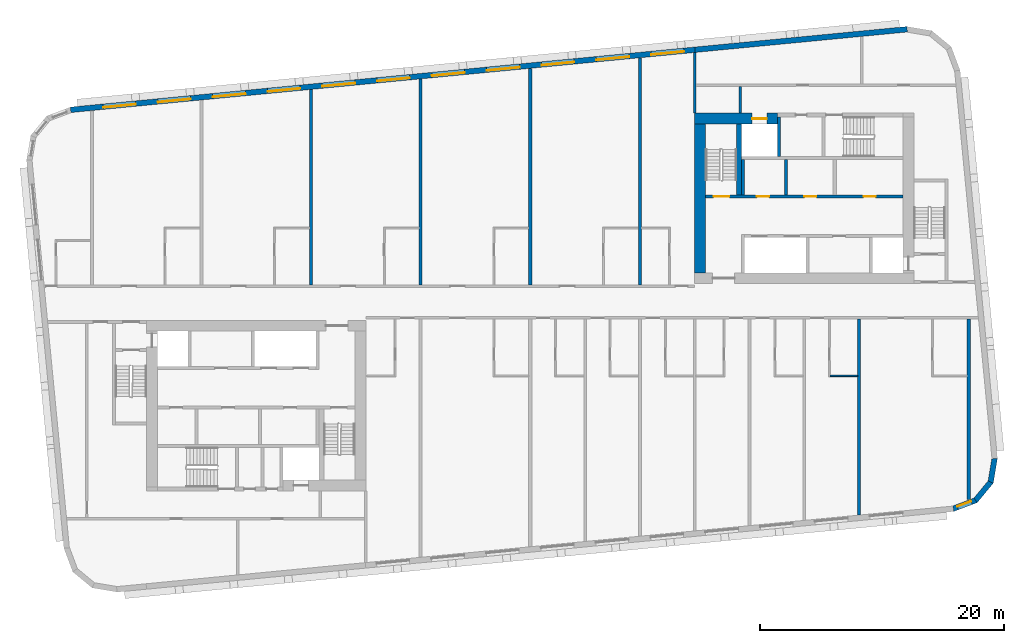
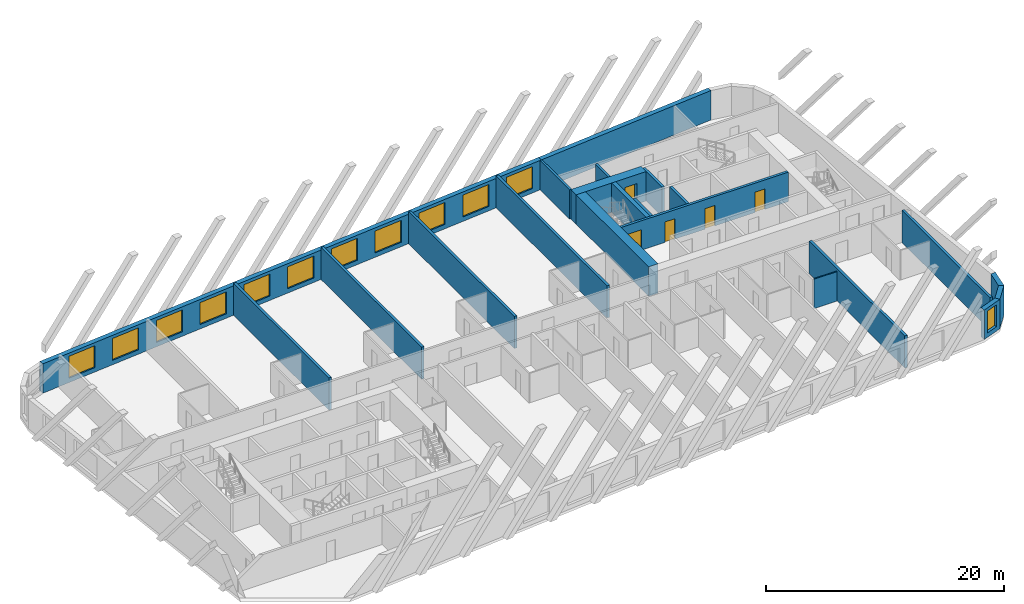
# One storey, part 6 of 12: 21 walls, 12 windows, 5 doors, 17 openings.
"""IFC4 building model written with IfcOpenShell, lengths in metres."""

from ifc_helpers import new_model, si_unit, direction, frame, frame_2d, origin, place, context, subcontext, project, spatial, polyline, rectangle, outline, extrude, material, layer, layer_set, type_object, element, fill, save


model = new_model("IFC4")

# Units and contexts
model_context = context("Model", 3, precision=1e-05, world=origin(), true_north=direction((0.0, 1.0)))
body_context = subcontext(model_context, "Body", "Model", "MODEL_VIEW")
ifc_project = project(units=[si_unit("LENGTHUNIT", "METRE"), si_unit("AREAUNIT", "SQUARE_METRE"), si_unit("VOLUMEUNIT", "CUBIC_METRE"), si_unit("PLANEANGLEUNIT", "RADIAN"), si_unit("MASSUNIT", "GRAM", prefix="KILO")], contexts=[model_context])

# Site, building, storey
site_placement = place(None, origin())
site = spatial("IfcSite", under=ifc_project, at=site_placement, CompositionType="ELEMENT")
building_placement = place(site_placement, origin())
building = spatial("IfcBuilding", under=site, at=building_placement, Name="Kajstack Hotel Tower", CompositionType="ELEMENT")
storey_placement = place(building_placement, frame((0.0, 0.0, 278.39990234375)))
storey = spatial("IfcBuildingStorey", under=building, at=storey_placement, Name="L69", CompositionType="ELEMENT", Elevation=278.39990234375)

# Wall, opening, door
ifc_material_1 = material(Name="Concrete C60/75", Category="concrete")
ifc_layer_1 = layer(ifc_material_1, 0.89990234375)
ifc_layer_set_1 = layer_set([ifc_layer_1], Name="Core wall 900")
wall_type_1 = type_object("IfcWallType", Name="Core wall 900", PredefinedType="SHEAR", material=ifc_layer_set_1)
wall_1_placement = place(storey_placement, frame((13.5, 15.050048828125, 0.0), z_axis=(0.0, 0.0, 1.0), x_axis=(1.0, 0.0, 0.0)))
wall_1 = element("IfcWall", 1, at=wall_1_placement, inside=storey, type_object=wall_type_1, Name="Core wall E RS", PredefinedType="SHEAR", context=body_context, shape_type="SweptSolid", body=[
    extrude(rectangle(XDim=6.800048828125, YDim=0.89990234375, at=frame_2d((3.39990234375, 0.0))), origin(), (0.0, 0.0, 1.0), 3.02001953125),
])
opening_1_placement = place(wall_1_placement, frame((4.72509765625, 0.0, 0.0)))
opening_1 = element("IfcOpeningElement", 2, at=opening_1_placement, cuts=wall_1, Name="Opening LD-SV2", PredefinedType="OPENING", context=body_context, shape_type="SweptSolid", body=[
    extrude(rectangle(XDim=1.199951171875, YDim=2.10009765625, at=frame_2d((0.60009765625, 1.050048828125))), frame((0.0, 0.4599609375, 0.0), z_axis=(0.0, -1.0, 0.0), x_axis=(1.0, 0.0, 0.0)), (0.0, 0.0, 1.0), 0.919921875),
])
ifc_material_2 = material(Name="Stainless steel", Category="steel")
door_type_1 = type_object("IfcDoorType", Name="Lift landing door 1200", OperationType="SLIDING_TO_LEFT", PredefinedType="DOOR", material=ifc_material_2)
door_1_placement = place(opening_1_placement, origin())
door_1 = element("IfcDoor", 3, at=door_1_placement, inside=storey, type_object=door_type_1, Name="Landing door SV2", OperationType="SLIDING_TO_LEFT", OverallHeight=2.10009765625, OverallWidth=1.199951171875, PredefinedType="DOOR", context=body_context, shape_type="SweptSolid", body=[
    extrude(rectangle(XDim=1.199951171875, YDim=2.10009765625, at=frame_2d((0.60009765625, 1.050048828125))), frame((0.0, 0.02490234375, 0.0), z_axis=(0.0, -1.0, 0.0), x_axis=(1.0, 0.0, 0.0)), (0.0, 0.0, 1.0), 0.050048828125),
])
fill(opening_1, door_1)

# Walls
wall_2_placement = place(storey_placement, frame((13.949951171875, 2.39990234375, 0.0), z_axis=(0.0, 0.0, 1.0), x_axis=(0.0, 1.0, 0.0)))
element("IfcWall", 4, at=wall_2_placement, inside=storey, type_object=wall_type_1, Name="Core wall E RE", PredefinedType="SHEAR", context=body_context, shape_type="SweptSolid", body=[
    extrude(rectangle(XDim=12.2001953125, YDim=0.89990234375, at=frame_2d((6.10009765625, 0.0))), origin(), (0.0, 0.0, 1.0), 3.02001953125),
])
ifc_material_3 = material(Name="Twin-frame gypsum board on steel studs, mineral wool", Category="steel")
ifc_layer_2 = layer(ifc_material_3, 0.199951171875)
ifc_layer_set_2 = layer_set([ifc_layer_2], Name="Demising wall 200")
wall_type_2 = type_object("IfcWallType", Name="Demising wall 200", PredefinedType="PARTITIONING", material=ifc_layer_set_2)
wall_3_placement = place(storey_placement, frame((13.5, 15.5, 0.0), z_axis=(0.0, 0.0, 1.0), x_axis=(0.0, 1.0, 0.0)))
element("IfcWall", 5, at=wall_3_placement, inside=storey, type_object=wall_type_2, Name="G-wall-L69-001", PredefinedType="PARTITIONING", context=body_context, shape_type="SweptSolid", body=[
    extrude(rectangle(XDim=4.985107421875, YDim=0.199951171875, at=frame_2d((2.49267578125, 0.0))), origin(), (0.0, 0.0, 1.0), 3.02001953125),
])
ifc_material_4 = material(Name="Concrete C40/50", Category="concrete")
ifc_layer_3 = layer(ifc_material_4, 0.449951171875)
ifc_layer_set_3 = layer_set([ifc_layer_3], Name="EW-CORE")
wall_type_3 = type_object("IfcWallType", Name="EW-CORE", PredefinedType="SOLIDWALL", material=ifc_layer_set_3)
wall_4_placement = place(storey_placement, frame((30.94580078125, 22.390625, 0.0), z_axis=(0.0, 0.0, 1.0), x_axis=(-0.995396397117, -0.095843688398, 0.0)))
element("IfcWall", 6, at=wall_4_placement, inside=storey, type_object=wall_type_3, Name="E-wall-L69-12-00", PredefinedType="SOLIDWALL", context=body_context, shape_type="SweptSolid", body=[
    extrude(rectangle(XDim=17.5048828125, YDim=0.449951171875, at=frame_2d((8.75244140625, 0.0))), origin(), (0.0, 0.0, 1.0), 3.02001953125),
])

# Wall, opening, window
ifc_material_5 = material(Name="Terracotta-faced brick masonry", Category="masonry")
ifc_layer_4 = layer(ifc_material_5, 0.449951171875)
ifc_layer_set_4 = layer_set([ifc_layer_4], Name="EW-TERRA")
wall_type_4 = type_object("IfcWallType", Name="EW-TERRA", PredefinedType="SOLIDWALL", material=ifc_layer_set_4)
wall_5_placement = place(storey_placement, frame((34.67919921875, -16.990478515625, 0.0), z_axis=(0.0, 0.0, 1.0), x_axis=(0.936677599948, 0.350192909346, 0.0)))
wall_5 = element("IfcWall", 7, at=wall_5_placement, inside=storey, type_object=wall_type_4, Name="E-wall-L69-05-00", PredefinedType="SOLIDWALL", context=body_context, shape_type="SweptSolid", body=[
    extrude(outline(polyline([(0.0, -0.22509765625), (2.070556640625, -0.22509765625), (1.949951171875, 0.22509765625), (0.12060546875, 0.22509765625), (0.0, -0.22509765625)])), origin(), (0.0, 0.0, 1.0), 3.02001953125),
])
opening_2_placement = place(wall_5_placement, frame((0.435302734375, 0.0, 0.449951171875)))
opening_2 = element("IfcOpeningElement", 8, at=opening_2_placement, cuts=wall_5, Name="Opening W3", PredefinedType="OPENING", context=body_context, shape_type="SweptSolid", body=[
    extrude(rectangle(XDim=1.199951171875, YDim=2.25, at=frame_2d((0.60009765625, 1.125))), frame((0.0, 0.23486328125, 0.0), z_axis=(0.0, -1.0, 0.0), x_axis=(1.0, 0.0, 0.0)), (0.0, 0.0, 1.0), 0.469970703125),
])
ifc_material_6 = material(Name="Timber-aluminium window, triple glazed", Category="wood")
window_type_1 = type_object("IfcWindowType", Name="WG3", PartitioningType="SINGLE_PANEL", PredefinedType="WINDOW", material=ifc_material_6)
window_1_placement = place(opening_2_placement, origin())
window_1 = element("IfcWindow", 9, at=window_1_placement, inside=storey, type_object=window_type_1, Name="Window W3 L69-05", OverallHeight=2.25, OverallWidth=1.199951171875, PartitioningType="SINGLE_PANEL", PredefinedType="WINDOW", context=body_context, shape_type="SweptSolid", body=[
    extrude(rectangle(XDim=1.199951171875, YDim=2.25, at=frame_2d((0.60009765625, 1.125))), frame((0.0, 0.090087890625, 0.0), z_axis=(0.0, -1.0, 0.0), x_axis=(1.0, 0.0, 0.0)), (0.0, 0.0, 1.0), 0.06005859375),
])
fill(opening_2, window_1)

# Walls
wall_6_placement = place(storey_placement, frame((36.52392578125, -16.3330078125, 0.0), z_axis=(0.0, 0.0, 1.0), x_axis=(0.636046112757, 0.771651049663, 0.0)))
element("IfcWall", 10, at=wall_6_placement, inside=storey, type_object=wall_type_4, Name="E-wall-L69-06-00", PredefinedType="SOLIDWALL", context=body_context, shape_type="SweptSolid", body=[
    extrude(outline(polyline([(0.0, -0.224853515625), (2.070556640625, -0.22509765625), (1.949951171875, 0.22509765625), (0.12060546875, 0.22509765625), (0.0, -0.224853515625)])), origin(), (0.0, 0.0, 1.0), 3.02001953125),
])
wall_7_placement = place(storey_placement, frame((37.79248046875, -14.84130859375, 0.0), z_axis=(0.0, 0.0, 1.0), x_axis=(0.165068144653, 0.986282164302, 0.0)))
element("IfcWall", 11, at=wall_7_placement, inside=storey, type_object=wall_type_4, Name="E-wall-L69-07-00", PredefinedType="SOLIDWALL", context=body_context, shape_type="SweptSolid", body=[
    extrude(outline(polyline([(0.0, -0.22509765625), (2.070556640625, -0.22509765625), (1.949951171875, 0.224853515625), (0.12060546875, 0.224853515625), (0.0, -0.22509765625)])), origin(), (0.0, 0.0, 1.0), 3.02001953125),
])

# Wall, openings, windows
wall_8_placement = place(storey_placement, frame((13.521484375, 20.712890625, 0.0), z_axis=(0.0, 0.0, 1.0), x_axis=(-0.995396277313, -0.095844932638, 0.0)))
wall_8 = element("IfcWall", 12, at=wall_8_placement, inside=storey, type_object=wall_type_4, Name="E-wall-L69-12-01", PredefinedType="SOLIDWALL", context=body_context, shape_type="SweptSolid", body=[
    extrude(rectangle(XDim=51.4951171875, YDim=0.449951171875, at=frame_2d((25.74755859375, 0.0))), origin(), (0.0, 0.0, 1.0), 3.02001953125),
])
opening_3_placement = place(wall_8_placement, frame((0.910400390625, 0.0, 0.449951171875)))
opening_3 = element("IfcOpeningElement", 13, at=opening_3_placement, cuts=wall_8, Name="Opening W1", PredefinedType="OPENING", context=body_context, shape_type="SweptSolid", body=[
    extrude(rectangle(XDim=2.699951171875, YDim=2.25, at=frame_2d((1.35009765625, 1.125))), frame((0.0, 0.23486328125, 0.0), z_axis=(0.0, -1.0, 0.0), x_axis=(1.0, 0.0, 0.0)), (0.0, 0.0, 1.0), 0.469970703125),
])
opening_4_placement = place(wall_8_placement, frame((5.43115234375, 0.0, 0.449951171875)))
opening_4 = element("IfcOpeningElement", 14, at=opening_4_placement, cuts=wall_8, Name="Opening W1", PredefinedType="OPENING", context=body_context, shape_type="SweptSolid", body=[
    extrude(rectangle(XDim=2.699951171875, YDim=2.25, at=frame_2d((1.35009765625, 1.125))), frame((0.0, 0.23486328125, 0.0), z_axis=(0.0, -1.0, 0.0), x_axis=(1.0, 0.0, 0.0)), (0.0, 0.0, 1.0), 0.469970703125),
])
opening_5_placement = place(wall_8_placement, frame((9.951904296875, 0.0, 0.449951171875)))
opening_5 = element("IfcOpeningElement", 15, at=opening_5_placement, cuts=wall_8, Name="Opening W1", PredefinedType="OPENING", context=body_context, shape_type="SweptSolid", body=[
    extrude(rectangle(XDim=2.699951171875, YDim=2.25, at=frame_2d((1.35009765625, 1.125))), frame((0.0, 0.23486328125, 0.0), z_axis=(0.0, -1.0, 0.0), x_axis=(1.0, 0.0, 0.0)), (0.0, 0.0, 1.0), 0.469970703125),
])
opening_6_placement = place(wall_8_placement, frame((14.472900390625, 0.0, 0.449951171875)))
opening_6 = element("IfcOpeningElement", 16, at=opening_6_placement, cuts=wall_8, Name="Opening W1", PredefinedType="OPENING", context=body_context, shape_type="SweptSolid", body=[
    extrude(rectangle(XDim=2.699951171875, YDim=2.25, at=frame_2d((1.35009765625, 1.125))), frame((0.0, 0.23486328125, 0.0), z_axis=(0.0, -1.0, 0.0), x_axis=(1.0, 0.0, 0.0)), (0.0, 0.0, 1.0), 0.469970703125),
])
opening_7_placement = place(wall_8_placement, frame((18.99365234375, 0.0, 0.449951171875)))
opening_7 = element("IfcOpeningElement", 17, at=opening_7_placement, cuts=wall_8, Name="Opening W1", PredefinedType="OPENING", context=body_context, shape_type="SweptSolid", body=[
    extrude(rectangle(XDim=2.699951171875, YDim=2.25, at=frame_2d((1.35009765625, 1.125))), frame((0.0, 0.23486328125, 0.0), z_axis=(0.0, -1.0, 0.0), x_axis=(1.0, 0.0, 0.0)), (0.0, 0.0, 1.0), 0.469970703125),
])
opening_8_placement = place(wall_8_placement, frame((23.514404296875, 0.0, 0.449951171875)))
opening_8 = element("IfcOpeningElement", 18, at=opening_8_placement, cuts=wall_8, Name="Opening W1", PredefinedType="OPENING", context=body_context, shape_type="SweptSolid", body=[
    extrude(rectangle(XDim=2.699951171875, YDim=2.25, at=frame_2d((1.35009765625, 1.125))), frame((0.0, 0.23486328125, 0.0), z_axis=(0.0, -1.0, 0.0), x_axis=(1.0, 0.0, 0.0)), (0.0, 0.0, 1.0), 0.469970703125),
])
opening_9_placement = place(wall_8_placement, frame((28.035400390625, 0.0, 0.449951171875)))
opening_9 = element("IfcOpeningElement", 19, at=opening_9_placement, cuts=wall_8, Name="Opening W1", PredefinedType="OPENING", context=body_context, shape_type="SweptSolid", body=[
    extrude(rectangle(XDim=2.699951171875, YDim=2.25, at=frame_2d((1.35009765625, 1.125))), frame((0.0, 0.23486328125, 0.0), z_axis=(0.0, -1.0, 0.0), x_axis=(1.0, 0.0, 0.0)), (0.0, 0.0, 1.0), 0.469970703125),
])
opening_10_placement = place(wall_8_placement, frame((32.55615234375, 0.0, 0.449951171875)))
opening_10 = element("IfcOpeningElement", 20, at=opening_10_placement, cuts=wall_8, Name="Opening W1", PredefinedType="OPENING", context=body_context, shape_type="SweptSolid", body=[
    extrude(rectangle(XDim=2.699951171875, YDim=2.25, at=frame_2d((1.35009765625, 1.125))), frame((0.0, 0.23486328125, 0.0), z_axis=(0.0, -1.0, 0.0), x_axis=(1.0, 0.0, 0.0)), (0.0, 0.0, 1.0), 0.469970703125),
])
opening_11_placement = place(wall_8_placement, frame((37.076904296875, 0.0, 0.449951171875)))
opening_11 = element("IfcOpeningElement", 21, at=opening_11_placement, cuts=wall_8, Name="Opening W1", PredefinedType="OPENING", context=body_context, shape_type="SweptSolid", body=[
    extrude(rectangle(XDim=2.699951171875, YDim=2.25, at=frame_2d((1.35009765625, 1.125))), frame((0.0, 0.23486328125, 0.0), z_axis=(0.0, -1.0, 0.0), x_axis=(1.0, 0.0, 0.0)), (0.0, 0.0, 1.0), 0.469970703125),
])
opening_12_placement = place(wall_8_placement, frame((41.59765625, 0.0, 0.449951171875)))
opening_12 = element("IfcOpeningElement", 22, at=opening_12_placement, cuts=wall_8, Name="Opening W1", PredefinedType="OPENING", context=body_context, shape_type="SweptSolid", body=[
    extrude(rectangle(XDim=2.699951171875, YDim=2.25, at=frame_2d((1.35009765625, 1.125))), frame((0.0, 0.23486328125, 0.0), z_axis=(0.0, -1.0, 0.0), x_axis=(1.0, 0.0, 0.0)), (0.0, 0.0, 1.0), 0.469970703125),
])
opening_13_placement = place(wall_8_placement, frame((46.118408203125, 0.0, 0.449951171875)))
opening_13 = element("IfcOpeningElement", 23, at=opening_13_placement, cuts=wall_8, Name="Opening W1", PredefinedType="OPENING", context=body_context, shape_type="SweptSolid", body=[
    extrude(rectangle(XDim=2.699951171875, YDim=2.25, at=frame_2d((1.35009765625, 1.125))), frame((0.0, 0.23486328125, 0.0), z_axis=(0.0, -1.0, 0.0), x_axis=(1.0, 0.0, 0.0)), (0.0, 0.0, 1.0), 0.469970703125),
])
window_type_2 = type_object("IfcWindowType", Name="WG1", PartitioningType="SINGLE_PANEL", PredefinedType="WINDOW", material=ifc_material_6)
window_2_placement = place(opening_3_placement, origin())
window_2 = element("IfcWindow", 24, at=window_2_placement, inside=storey, type_object=window_type_2, Name="Window W1 L69-12", OverallHeight=2.25, OverallWidth=2.699951171875, PartitioningType="SINGLE_PANEL", PredefinedType="WINDOW", context=body_context, shape_type="SweptSolid", body=[
    extrude(rectangle(XDim=2.699951171875, YDim=2.25, at=frame_2d((1.35009765625, 1.125))), frame((0.0, 0.090087890625, 0.0), z_axis=(0.0, -1.0, 0.0), x_axis=(1.0, 0.0, 0.0)), (0.0, 0.0, 1.0), 0.06005859375),
])
fill(opening_3, window_2)
window_3_placement = place(opening_4_placement, origin())
window_3 = element("IfcWindow", 25, at=window_3_placement, inside=storey, type_object=window_type_2, Name="Window W1 L69-12", OverallHeight=2.25, OverallWidth=2.699951171875, PartitioningType="SINGLE_PANEL", PredefinedType="WINDOW", context=body_context, shape_type="SweptSolid", body=[
    extrude(rectangle(XDim=2.699951171875, YDim=2.25, at=frame_2d((1.35009765625, 1.125))), frame((0.0, 0.090087890625, 0.0), z_axis=(0.0, -1.0, 0.0), x_axis=(1.0, 0.0, 0.0)), (0.0, 0.0, 1.0), 0.06005859375),
])
fill(opening_4, window_3)
window_4_placement = place(opening_5_placement, origin())
window_4 = element("IfcWindow", 26, at=window_4_placement, inside=storey, type_object=window_type_2, Name="Window W1 L69-12", OverallHeight=2.25, OverallWidth=2.699951171875, PartitioningType="SINGLE_PANEL", PredefinedType="WINDOW", context=body_context, shape_type="SweptSolid", body=[
    extrude(rectangle(XDim=2.699951171875, YDim=2.25, at=frame_2d((1.35009765625, 1.125))), frame((0.0, 0.090087890625, 0.0), z_axis=(0.0, -1.0, 0.0), x_axis=(1.0, 0.0, 0.0)), (0.0, 0.0, 1.0), 0.06005859375),
])
fill(opening_5, window_4)
window_5_placement = place(opening_6_placement, origin())
window_5 = element("IfcWindow", 27, at=window_5_placement, inside=storey, type_object=window_type_2, Name="Window W1 L69-12", OverallHeight=2.25, OverallWidth=2.699951171875, PartitioningType="SINGLE_PANEL", PredefinedType="WINDOW", context=body_context, shape_type="SweptSolid", body=[
    extrude(rectangle(XDim=2.699951171875, YDim=2.25, at=frame_2d((1.35009765625, 1.125))), frame((0.0, 0.090087890625, 0.0), z_axis=(0.0, -1.0, 0.0), x_axis=(1.0, 0.0, 0.0)), (0.0, 0.0, 1.0), 0.06005859375),
])
fill(opening_6, window_5)
window_6_placement = place(opening_7_placement, origin())
window_6 = element("IfcWindow", 28, at=window_6_placement, inside=storey, type_object=window_type_2, Name="Window W1 L69-12", OverallHeight=2.25, OverallWidth=2.699951171875, PartitioningType="SINGLE_PANEL", PredefinedType="WINDOW", context=body_context, shape_type="SweptSolid", body=[
    extrude(rectangle(XDim=2.699951171875, YDim=2.25, at=frame_2d((1.35009765625, 1.125))), frame((0.0, 0.090087890625, 0.0), z_axis=(0.0, -1.0, 0.0), x_axis=(1.0, 0.0, 0.0)), (0.0, 0.0, 1.0), 0.06005859375),
])
fill(opening_7, window_6)
window_7_placement = place(opening_8_placement, origin())
window_7 = element("IfcWindow", 29, at=window_7_placement, inside=storey, type_object=window_type_2, Name="Window W1 L69-12", OverallHeight=2.25, OverallWidth=2.699951171875, PartitioningType="SINGLE_PANEL", PredefinedType="WINDOW", context=body_context, shape_type="SweptSolid", body=[
    extrude(rectangle(XDim=2.699951171875, YDim=2.25, at=frame_2d((1.35009765625, 1.125))), frame((0.0, 0.090087890625, 0.0), z_axis=(0.0, -1.0, 0.0), x_axis=(1.0, 0.0, 0.0)), (0.0, 0.0, 1.0), 0.06005859375),
])
fill(opening_8, window_7)
window_8_placement = place(opening_9_placement, origin())
window_8 = element("IfcWindow", 30, at=window_8_placement, inside=storey, type_object=window_type_2, Name="Window W1 L69-12", OverallHeight=2.25, OverallWidth=2.699951171875, PartitioningType="SINGLE_PANEL", PredefinedType="WINDOW", context=body_context, shape_type="SweptSolid", body=[
    extrude(rectangle(XDim=2.699951171875, YDim=2.25, at=frame_2d((1.35009765625, 1.125))), frame((0.0, 0.090087890625, 0.0), z_axis=(0.0, -1.0, 0.0), x_axis=(1.0, 0.0, 0.0)), (0.0, 0.0, 1.0), 0.06005859375),
])
fill(opening_9, window_8)
window_9_placement = place(opening_10_placement, origin())
window_9 = element("IfcWindow", 31, at=window_9_placement, inside=storey, type_object=window_type_2, Name="Window W1 L69-12", OverallHeight=2.25, OverallWidth=2.699951171875, PartitioningType="SINGLE_PANEL", PredefinedType="WINDOW", context=body_context, shape_type="SweptSolid", body=[
    extrude(rectangle(XDim=2.699951171875, YDim=2.25, at=frame_2d((1.35009765625, 1.125))), frame((0.0, 0.090087890625, 0.0), z_axis=(0.0, -1.0, 0.0), x_axis=(1.0, 0.0, 0.0)), (0.0, 0.0, 1.0), 0.06005859375),
])
fill(opening_10, window_9)
window_10_placement = place(opening_11_placement, origin())
window_10 = element("IfcWindow", 32, at=window_10_placement, inside=storey, type_object=window_type_2, Name="Window W1 L69-12", OverallHeight=2.25, OverallWidth=2.699951171875, PartitioningType="SINGLE_PANEL", PredefinedType="WINDOW", context=body_context, shape_type="SweptSolid", body=[
    extrude(rectangle(XDim=2.699951171875, YDim=2.25, at=frame_2d((1.35009765625, 1.125))), frame((0.0, 0.090087890625, 0.0), z_axis=(0.0, -1.0, 0.0), x_axis=(1.0, 0.0, 0.0)), (0.0, 0.0, 1.0), 0.06005859375),
])
fill(opening_11, window_10)
window_11_placement = place(opening_12_placement, origin())
window_11 = element("IfcWindow", 33, at=window_11_placement, inside=storey, type_object=window_type_2, Name="Window W1 L69-12", OverallHeight=2.25, OverallWidth=2.699951171875, PartitioningType="SINGLE_PANEL", PredefinedType="WINDOW", context=body_context, shape_type="SweptSolid", body=[
    extrude(rectangle(XDim=2.699951171875, YDim=2.25, at=frame_2d((1.35009765625, 1.125))), frame((0.0, 0.090087890625, 0.0), z_axis=(0.0, -1.0, 0.0), x_axis=(1.0, 0.0, 0.0)), (0.0, 0.0, 1.0), 0.06005859375),
])
fill(opening_12, window_11)
window_12_placement = place(opening_13_placement, origin())
window_12 = element("IfcWindow", 34, at=window_12_placement, inside=storey, type_object=window_type_2, Name="Window W1 L69-12", OverallHeight=2.25, OverallWidth=2.699951171875, PartitioningType="SINGLE_PANEL", PredefinedType="WINDOW", context=body_context, shape_type="SweptSolid", body=[
    extrude(rectangle(XDim=2.699951171875, YDim=2.25, at=frame_2d((1.35009765625, 1.125))), frame((0.0, 0.090087890625, 0.0), z_axis=(0.0, -1.0, 0.0), x_axis=(1.0, 0.0, 0.0)), (0.0, 0.0, 1.0), 0.06005859375),
])
fill(opening_13, window_12)

# Walls
ifc_material_7 = material(Name="Gypsum board and tiled backer on steel studs", Category="steel")
ifc_layer_5 = layer(ifc_material_7, 0.125)
ifc_layer_set_5 = layer_set([ifc_layer_5], Name="En-suite wall 125")
wall_type_5 = type_object("IfcWallType", Name="En-suite wall 125", PredefinedType="PARTITIONING", material=ifc_layer_set_5)
wall_9_placement = place(storey_placement, frame((24.625, -6.06201171875, 0.0), z_axis=(0.0, 0.0, 1.0), x_axis=(1.0, 0.0, 0.0)))
element("IfcWall", 35, at=wall_9_placement, inside=storey, type_object=wall_type_5, Name="G-wall-L69-037", PredefinedType="PARTITIONING", context=body_context, shape_type="SweptSolid", body=[
    extrude(rectangle(XDim=2.25, YDim=0.125, at=frame_2d((1.125, 0.0))), origin(), (0.0, 0.0, 1.0), 3.02001953125),
])
ifc_layer_6 = layer(ifc_material_4, 0.25)
ifc_layer_set_6 = layer_set([ifc_layer_6], Name="RC cross wall 250 C40/50")
wall_type_6 = type_object("IfcWallType", Name="RC cross wall 250 C40/50", PredefinedType="SHEAR", material=ifc_layer_set_6)
wall_10_placement = place(storey_placement, frame((-18.0, 1.39990234375, 0.0), z_axis=(0.0, 0.0, 1.0), x_axis=(0.0, 1.0, 0.0)))
element("IfcWall", 36, at=wall_10_placement, inside=storey, type_object=wall_type_6, Name="S-wall-L69-03", PredefinedType="SHEAR", context=body_context, shape_type="SweptSolid", body=[
    extrude(rectangle(XDim=16.029541015625, YDim=0.25, at=frame_2d((8.0146484375, 0.0))), origin(), (0.0, 0.0, 1.0), 3.300048828125),
])
wall_11_placement = place(storey_placement, frame((-9.0, 1.39990234375, 0.0), z_axis=(0.0, 0.0, 1.0), x_axis=(0.0, 1.0, 0.0)))
element("IfcWall", 37, at=wall_11_placement, inside=storey, type_object=wall_type_6, Name="S-wall-L69-05", PredefinedType="SHEAR", context=body_context, shape_type="SweptSolid", body=[
    extrude(rectangle(XDim=16.896240234375, YDim=0.25, at=frame_2d((8.4482421875, 0.0))), origin(), (0.0, 0.0, 1.0), 3.300048828125),
])
wall_12_placement = place(storey_placement, frame((0.0, 1.39990234375, 0.0), z_axis=(0.0, 0.0, 1.0), x_axis=(0.0, 1.0, 0.0)))
element("IfcWall", 38, at=wall_12_placement, inside=storey, type_object=wall_type_6, Name="S-wall-L69-07", PredefinedType="SHEAR", context=body_context, shape_type="SweptSolid", body=[
    extrude(rectangle(XDim=17.7626953125, YDim=0.25, at=frame_2d((8.88134765625, 0.0))), origin(), (0.0, 0.0, 1.0), 3.300048828125),
])
wall_13_placement = place(storey_placement, frame((9.0, 1.39990234375, 0.0), z_axis=(0.0, 0.0, 1.0), x_axis=(0.0, 1.0, 0.0)))
element("IfcWall", 39, at=wall_13_placement, inside=storey, type_object=wall_type_6, Name="S-wall-L69-09", PredefinedType="SHEAR", context=body_context, shape_type="SweptSolid", body=[
    extrude(rectangle(XDim=18.62939453125, YDim=0.25, at=frame_2d((9.314697265625, 0.0))), origin(), (0.0, 0.0, 1.0), 3.300048828125),
])
wall_14_placement = place(storey_placement, frame((27.0, -17.47412109375, 0.0), z_axis=(0.0, 0.0, 1.0), x_axis=(0.0, 1.0, 0.0)))
element("IfcWall", 40, at=wall_14_placement, inside=storey, type_object=wall_type_6, Name="S-wall-L69-11", PredefinedType="SHEAR", context=body_context, shape_type="SweptSolid", body=[
    extrude(rectangle(XDim=16.07421875, YDim=0.25, at=frame_2d((8.037109375, 0.0))), origin(), (0.0, 0.0, 1.0), 3.300048828125),
])
wall_15_placement = place(storey_placement, frame((36.0, -16.198974609375, 0.0), z_axis=(0.0, 0.0, 1.0), x_axis=(0.0, 1.0, 0.0)))
element("IfcWall", 41, at=wall_15_placement, inside=storey, type_object=wall_type_6, Name="S-wall-L69-12", PredefinedType="SHEAR", context=body_context, shape_type="SweptSolid", body=[
    extrude(rectangle(XDim=14.799072265625, YDim=0.25, at=frame_2d((7.3994140625, 0.0))), origin(), (0.0, 0.0, 1.0), 3.300048828125),
])
ifc_material_8 = material(Name="Concrete block masonry", Category="masonry")
ifc_layer_7 = layer(ifc_material_8, 0.25)
ifc_layer_set_7 = layer_set([ifc_layer_7], Name="Riser partition 250")
wall_type_7 = type_object("IfcWallType", Name="Riser partition 250", PredefinedType="PARTITIONING", material=ifc_layer_set_7)
wall_16_placement = place(storey_placement, frame((21.0, 8.800048828125, 0.0), z_axis=(0.0, 0.0, 1.0), x_axis=(0.0, 1.0, 0.0)))
element("IfcWall", 42, at=wall_16_placement, inside=storey, type_object=wall_type_7, Name="Partition E BF1", PredefinedType="PARTITIONING", context=body_context, shape_type="SweptSolid", body=[
    extrude(rectangle(XDim=2.89990234375, YDim=0.25, at=frame_2d((1.449951171875, 0.0))), origin(), (0.0, 0.0, 1.0), 3.02001953125),
])
ifc_material_9 = material(Name="Gypsum board on steel studs, mineral wool", Category="steel")
ifc_layer_8 = layer(ifc_material_9, 0.199951171875)
ifc_layer_set_8 = layer_set([ifc_layer_8], Name="Service partition 200")
wall_type_8 = type_object("IfcWallType", Name="Service partition 200", PredefinedType="PARTITIONING", material=ifc_layer_set_8)
wall_17_placement = place(storey_placement, frame((17.25, 15.5, 0.0), z_axis=(0.0, 0.0, 1.0), x_axis=(0.0, 1.0, 0.0)))
element("IfcWall", 43, at=wall_17_placement, inside=storey, type_object=wall_type_8, Name="Partition E SCE", PredefinedType="PARTITIONING", context=body_context, shape_type="SweptSolid", body=[
    extrude(rectangle(XDim=2.199951171875, YDim=0.199951171875, at=frame_2d((1.10009765625, 0.0))), origin(), (0.0, 0.0, 1.0), 3.02001953125),
])

# Wall, openings, doors
ifc_material_10 = material(Name="Concrete C50/60", Category="concrete")
ifc_layer_9 = layer(ifc_material_10, 0.25)
ifc_layer_set_9 = layer_set([ifc_layer_9], Name="Shaft wall 250")
wall_type_9 = type_object("IfcWallType", Name="Shaft wall 250", PredefinedType="SHEAR", material=ifc_layer_set_9)
wall_18_placement = place(storey_placement, frame((14.39990234375, 8.675048828125, 0.0), z_axis=(0.0, 0.0, 1.0), x_axis=(1.0, 0.0, 0.0)))
wall_18 = element("IfcWall", 44, at=wall_18_placement, inside=storey, type_object=wall_type_9, Name="Core wall E FB", PredefinedType="SHEAR", context=body_context, shape_type="SweptSolid", body=[
    extrude(rectangle(XDim=16.2001953125, YDim=0.25, at=frame_2d((8.10009765625, 0.0))), origin(), (0.0, 0.0, 1.0), 3.02001953125),
])
opening_14_placement = place(wall_18_placement, frame((0.64990234375, 0.0, 0.0)))
opening_14 = element("IfcOpeningElement", 45, at=opening_14_placement, cuts=wall_18, Name="Opening 69E09", PredefinedType="OPENING", context=body_context, shape_type="SweptSolid", body=[
    extrude(rectangle(XDim=1.300048828125, YDim=2.10009765625, at=frame_2d((0.64990234375, 1.050048828125))), frame((0.0, 0.135009765625, 0.0), z_axis=(0.0, -1.0, 0.0), x_axis=(1.0, 0.0, 0.0)), (0.0, 0.0, 1.0), 0.27001953125),
])
opening_15_placement = place(wall_18_placement, frame((12.96240234375, 0.0, 0.0)))
opening_15 = element("IfcOpeningElement", 46, at=opening_15_placement, cuts=wall_18, Name="Opening 69E12", PredefinedType="OPENING", context=body_context, shape_type="SweptSolid", body=[
    extrude(rectangle(XDim=1.0, YDim=2.10009765625, at=frame_2d((0.5, 1.050048828125))), frame((0.0, 0.135009765625, 0.0), z_axis=(0.0, -1.0, 0.0), x_axis=(1.0, 0.0, 0.0)), (0.0, 0.0, 1.0), 0.27001953125),
])
opening_16_placement = place(wall_18_placement, frame((8.10009765625, 0.0, 0.0)))
opening_16 = element("IfcOpeningElement", 47, at=opening_16_placement, cuts=wall_18, Name="Opening 69E13", PredefinedType="OPENING", context=body_context, shape_type="SweptSolid", body=[
    extrude(rectangle(XDim=1.0, YDim=2.10009765625, at=frame_2d((0.5, 1.050048828125))), frame((0.0, 0.135009765625, 0.0), z_axis=(0.0, -1.0, 0.0), x_axis=(1.0, 0.0, 0.0)), (0.0, 0.0, 1.0), 0.27001953125),
])
opening_17_placement = place(wall_18_placement, frame((4.21240234375, 0.0, 0.0)))
opening_17 = element("IfcOpeningElement", 48, at=opening_17_placement, cuts=wall_18, Name="Opening 69E14", PredefinedType="OPENING", context=body_context, shape_type="SweptSolid", body=[
    extrude(rectangle(XDim=1.0, YDim=2.10009765625, at=frame_2d((0.5, 1.050048828125))), frame((0.0, 0.135009765625, 0.0), z_axis=(0.0, -1.0, 0.0), x_axis=(1.0, 0.0, 0.0)), (0.0, 0.0, 1.0), 0.27001953125),
])
ifc_material_11 = material(Name="Timber leaf, fire-rated", Category="wood")
door_type_2 = type_object("IfcDoorType", Name="Service room door 1000", OperationType="SINGLE_SWING_LEFT", PredefinedType="DOOR", material=ifc_material_11)
door_2_placement = place(opening_15_placement, origin())
door_2 = element("IfcDoor", 49, at=door_2_placement, inside=storey, type_object=door_type_2, Name="Door 69E12", OperationType="SINGLE_SWING_LEFT", OverallHeight=2.10009765625, OverallWidth=1.0, PredefinedType="DOOR", context=body_context, shape_type="SweptSolid", body=[
    extrude(rectangle(XDim=1.0, YDim=2.10009765625, at=frame_2d((0.5, 1.050048828125))), frame((0.0, 0.02490234375, 0.0), z_axis=(0.0, -1.0, 0.0), x_axis=(1.0, 0.0, 0.0)), (0.0, 0.0, 1.0), 0.050048828125),
])
fill(opening_15, door_2)
door_3_placement = place(opening_16_placement, origin())
door_3 = element("IfcDoor", 50, at=door_3_placement, inside=storey, type_object=door_type_2, Name="Door 69E13", OperationType="SINGLE_SWING_LEFT", OverallHeight=2.10009765625, OverallWidth=1.0, PredefinedType="DOOR", context=body_context, shape_type="SweptSolid", body=[
    extrude(rectangle(XDim=1.0, YDim=2.10009765625, at=frame_2d((0.5, 1.050048828125))), frame((0.0, 0.02490234375, 0.0), z_axis=(0.0, -1.0, 0.0), x_axis=(1.0, 0.0, 0.0)), (0.0, 0.0, 1.0), 0.050048828125),
])
fill(opening_16, door_3)
door_4_placement = place(opening_17_placement, origin())
door_4 = element("IfcDoor", 51, at=door_4_placement, inside=storey, type_object=door_type_2, Name="Door 69E14", OperationType="SINGLE_SWING_LEFT", OverallHeight=2.10009765625, OverallWidth=1.0, PredefinedType="DOOR", context=body_context, shape_type="SweptSolid", body=[
    extrude(rectangle(XDim=1.0, YDim=2.10009765625, at=frame_2d((0.5, 1.050048828125))), frame((0.0, 0.02490234375, 0.0), z_axis=(0.0, -1.0, 0.0), x_axis=(1.0, 0.0, 0.0)), (0.0, 0.0, 1.0), 0.050048828125),
])
fill(opening_17, door_4)
ifc_material_12 = material(Name="Steel leaf, fire-rated", Category="steel")
door_type_3 = type_object("IfcDoorType", Name="Stair door 1300", OperationType="SINGLE_SWING_LEFT", PredefinedType="DOOR", material=ifc_material_12)
door_5_placement = place(opening_14_placement, origin())
door_5 = element("IfcDoor", 52, at=door_5_placement, inside=storey, type_object=door_type_3, Name="Door 69E09", OperationType="SINGLE_SWING_LEFT", OverallHeight=2.10009765625, OverallWidth=1.300048828125, PredefinedType="DOOR", context=body_context, shape_type="SweptSolid", body=[
    extrude(rectangle(XDim=1.300048828125, YDim=2.10009765625, at=frame_2d((0.64990234375, 1.050048828125))), frame((0.0, 0.02490234375, 0.0), z_axis=(0.0, -1.0, 0.0), x_axis=(1.0, 0.0, 0.0)), (0.0, 0.0, 1.0), 0.050048828125),
])
fill(opening_14, door_5)

# Walls
wall_19_placement = place(storey_placement, frame((17.47509765625, 8.800048828125, 0.0), z_axis=(0.0, 0.0, 1.0), x_axis=(0.0, 1.0, 0.0)))
element("IfcWall", 53, at=wall_19_placement, inside=storey, type_object=wall_type_9, Name="Core wall E BE", PredefinedType="SHEAR", context=body_context, shape_type="SweptSolid", body=[
    extrude(rectangle(XDim=2.89990234375, YDim=0.25, at=frame_2d((1.449951171875, 0.0))), origin(), (0.0, 0.0, 1.0), 3.02001953125),
])
wall_20_placement = place(storey_placement, frame((20.425048828125, 11.949951171875, 0.0), z_axis=(0.0, 0.0, 1.0), x_axis=(0.0, 1.0, 0.0)))
element("IfcWall", 54, at=wall_20_placement, inside=storey, type_object=wall_type_9, Name="Core wall E SVW", PredefinedType="SHEAR", context=body_context, shape_type="SweptSolid", body=[
    extrude(rectangle(XDim=3.25, YDim=0.25, at=frame_2d((1.625, 0.0))), origin(), (0.0, 0.0, 1.0), 3.02001953125),
])
ifc_layer_10 = layer(ifc_material_10, 0.39990234375)
ifc_layer_set_10 = layer_set([ifc_layer_10], Name="Stair wall 400")
wall_type_10 = type_object("IfcWallType", Name="Stair wall 400", PredefinedType="SHEAR", material=ifc_layer_set_10)
wall_21_placement = place(storey_placement, frame((17.14990234375, 8.800048828125, 0.0), z_axis=(0.0, 0.0, 1.0), x_axis=(0.0, 1.0, 0.0)))
element("IfcWall", 55, at=wall_21_placement, inside=storey, type_object=wall_type_10, Name="Core wall E WW2", PredefinedType="SHEAR", context=body_context, shape_type="SweptSolid", body=[
    extrude(rectangle(XDim=5.800048828125, YDim=0.39990234375, at=frame_2d((2.89990234375, 0.0))), origin(), (0.0, 0.0, 1.0), 3.02001953125),
])

save(model, "model.ifc")
